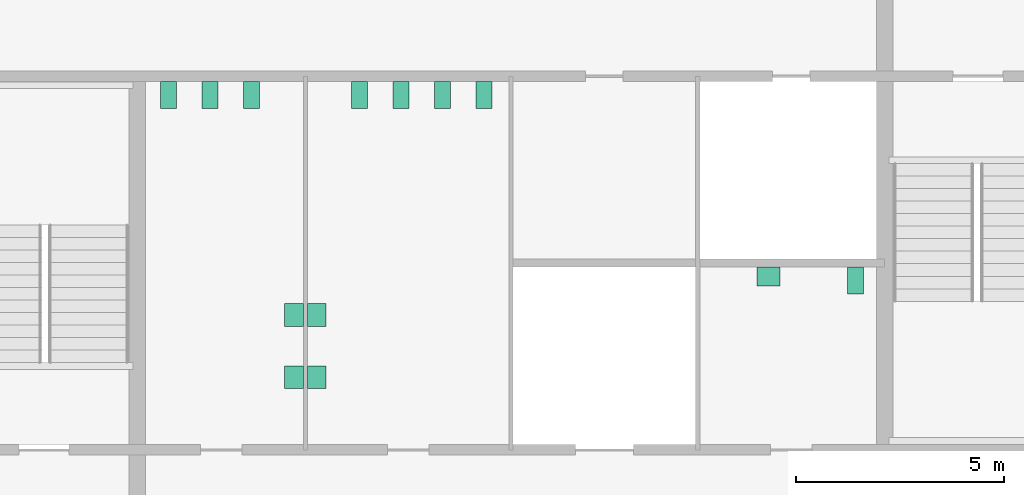
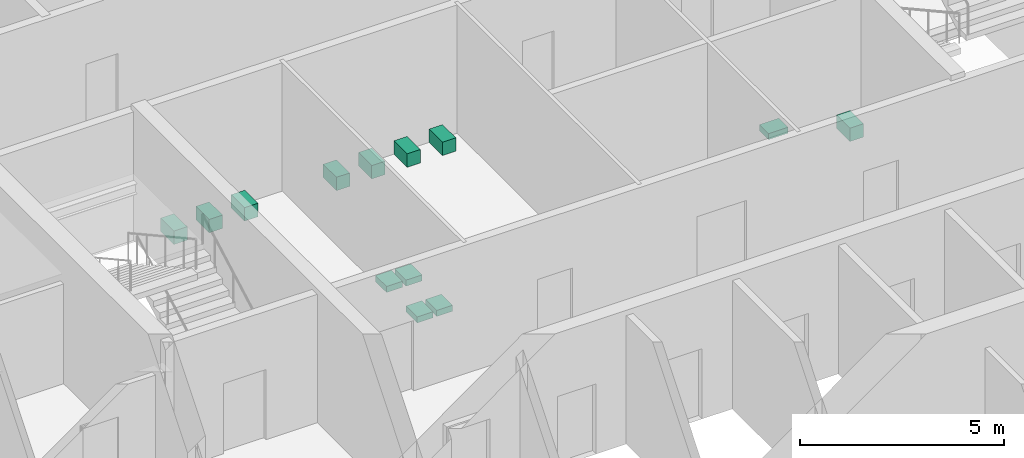
# One storey, part 13 of 13: 13 sanitary terminals.
"""IFC4 building model written with IfcOpenShell, lengths in metres."""

from ifc_helpers import new_model, si_unit, direction, frame, origin, origin_2d, place, context, subcontext, project, spatial, rectangle, extrude, material, type_object, element, save


model = new_model("IFC4")

# Units and contexts
model_context = context("Model", 3, precision=1e-05, world=origin(), true_north=direction((0.0, 1.0)))
body_context = subcontext(model_context, "Body", "Model", "MODEL_VIEW")
ifc_project = project(units=[si_unit("LENGTHUNIT", "METRE"), si_unit("AREAUNIT", "SQUARE_METRE"), si_unit("VOLUMEUNIT", "CUBIC_METRE"), si_unit("PLANEANGLEUNIT", "RADIAN"), si_unit("MASSUNIT", "GRAM", prefix="KILO")], contexts=[model_context])

# Site, building, storey
site_placement = place(None, origin())
site = spatial("IfcSite", under=ifc_project, at=site_placement, CompositionType="ELEMENT")
building_placement = place(site_placement, origin())
building = spatial("IfcBuilding", under=site, at=building_placement, Name="Corais Broadcast Tower", CompositionType="ELEMENT")
storey_placement = place(building_placement, frame((0.0, 0.0, 171.60009765625)))
storey = spatial("IfcBuildingStorey", under=building, at=storey_placement, Name="L39", CompositionType="ELEMENT", Elevation=171.60009765625)

# Sanitary terminals
ifc_material_1 = material(Name="Vitreous china", Category="ceramic")
sanitary_terminal_type_1 = type_object("IfcSanitaryTerminalType", Name="WC pan 380x650", PredefinedType="TOILETPAN", material=ifc_material_1)
for number, where, z_axis, x_axis, name in (
    (1, (18.75, 31.050048828125, 0.0), (0.0, 0.0, 1.0), (1.0, 0.0, 0.0), "SW1 WC pan, male toilets L39"),
    (2, (19.75, 31.050048828125, 0.0), (0.0, 0.0, 1.0), (1.0, 0.0, 0.0), "SW1 WC pan, male toilets L39"),
    (3, (20.75, 31.050048828125, 0.0), (0.0, 0.0, 1.0), (1.0, 0.0, 0.0), "SW1 WC pan, male toilets L39"),
    (4, (23.35009765625, 31.050048828125, 0.0), (0.0, 0.0, 1.0), (1.0, 0.0, 0.0), "SW1 WC pan, female toilets L39"),
    (5, (24.35009765625, 31.050048828125, 0.0), (0.0, 0.0, 1.0), (1.0, 0.0, 0.0), "SW1 WC pan, female toilets L39"),
    (6, (25.35009765625, 31.050048828125, 0.0), (0.0, 0.0, 1.0), (1.0, 0.0, 0.0), "SW1 WC pan, female toilets L39"),
    (7, (26.35009765625, 31.050048828125, 0.0), (0.0, 0.0, 1.0), (1.0, 0.0, 0.0), "SW1 WC pan, female toilets L39"),
    (8, (35.300048828125, 26.574951171875, 0.0), (0.0, 0.0, 1.0), (1.0, 0.0, 0.0), "SW1 WC pan, accessible WC L39"),
):
    element("IfcSanitaryTerminal", number, at=place(storey_placement, frame(where, z_axis=z_axis, x_axis=x_axis)), inside=storey, type_object=sanitary_terminal_type_1, Name=name, PredefinedType="TOILETPAN", context=body_context, shape_type="SweptSolid", body=[
        extrude(rectangle(XDim=0.3798828125, YDim=0.64990234375, at=origin_2d()), origin(), (0.0, 0.0, 1.0), 0.39990234375),
    ])
ifc_material_2 = material(Name="Vitreous china", Category="ceramic")
sanitary_terminal_type_2 = type_object("IfcSanitaryTerminalType", Name="Wash basin 550x450", PredefinedType="WASHHANDBASIN", material=ifc_material_2)
for number, where, z_axis, x_axis, name in (
    (9, (21.77490234375, 24.25, 0.69970703125), (0.0, 0.0, 1.0), (1.0, 0.0, 0.0), "WB1 wash basin, male toilets L39"),
    (10, (21.77490234375, 25.75, 0.69970703125), (0.0, 0.0, 1.0), (1.0, 0.0, 0.0), "WB1 wash basin, male toilets L39"),
    (11, (22.324951171875, 24.25, 0.69970703125), (0.0, 0.0, 1.0), (1.0, 0.0, 0.0), "WB1 wash basin, female toilets L39"),
    (12, (22.324951171875, 25.75, 0.69970703125), (0.0, 0.0, 1.0), (1.0, 0.0, 0.0), "WB1 wash basin, female toilets L39"),
):
    element("IfcSanitaryTerminal", number, at=place(storey_placement, frame(where, z_axis=z_axis, x_axis=x_axis)), inside=storey, type_object=sanitary_terminal_type_2, Name=name, PredefinedType="WASHHANDBASIN", context=body_context, shape_type="SweptSolid", body=[
        extrude(rectangle(XDim=0.449951171875, YDim=0.550048828125, at=origin_2d()), origin(), (0.0, 0.0, 1.0), 0.179931640625),
    ])
sanitary_terminal_placement = place(storey_placement, frame((33.199951171875, 26.675048828125, 0.69970703125), z_axis=(0.0, 0.0, 1.0), x_axis=(1.0, 0.0, 0.0)))
element("IfcSanitaryTerminal", 13, at=sanitary_terminal_placement, inside=storey, type_object=sanitary_terminal_type_2, Name="WB1 wash basin, accessible WC L39", PredefinedType="WASHHANDBASIN", context=body_context, shape_type="SweptSolid", body=[
    extrude(rectangle(XDim=0.550048828125, YDim=0.449951171875, at=origin_2d()), origin(), (0.0, 0.0, 1.0), 0.179931640625),
])

save(model, "model.ifc")
